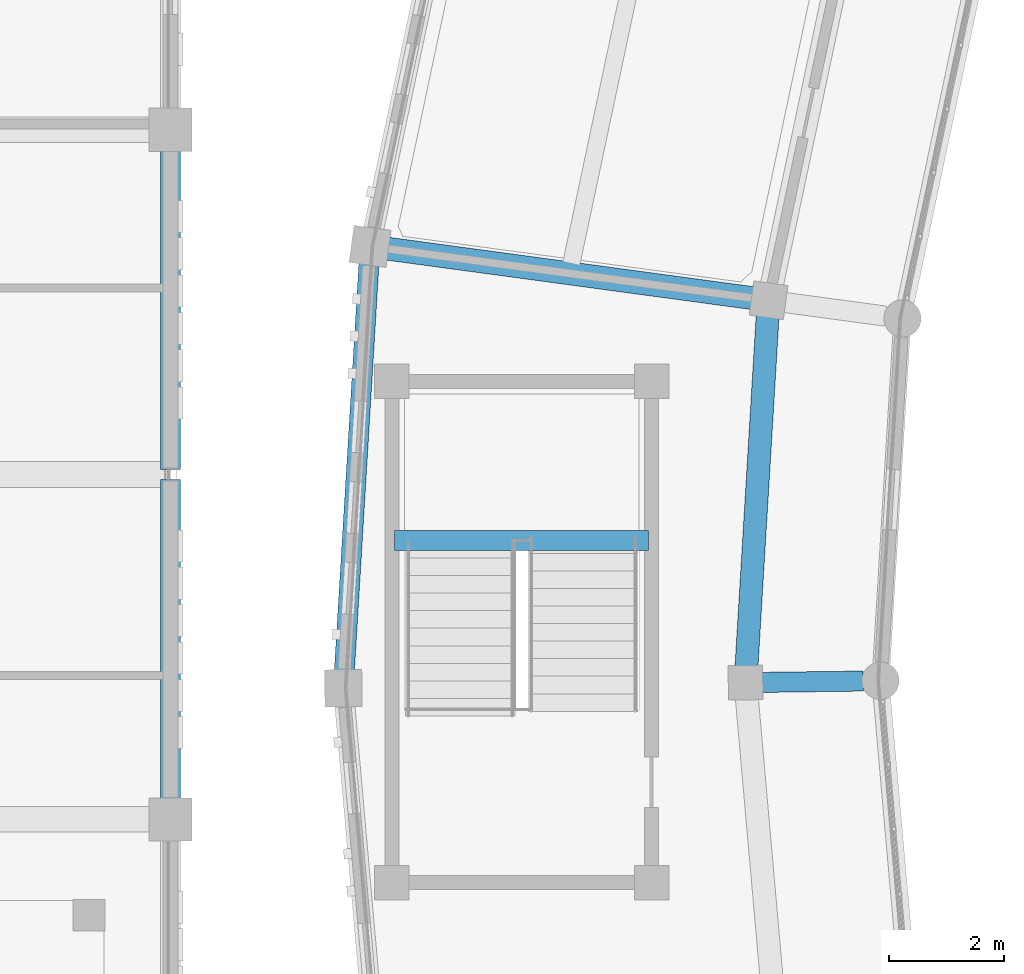
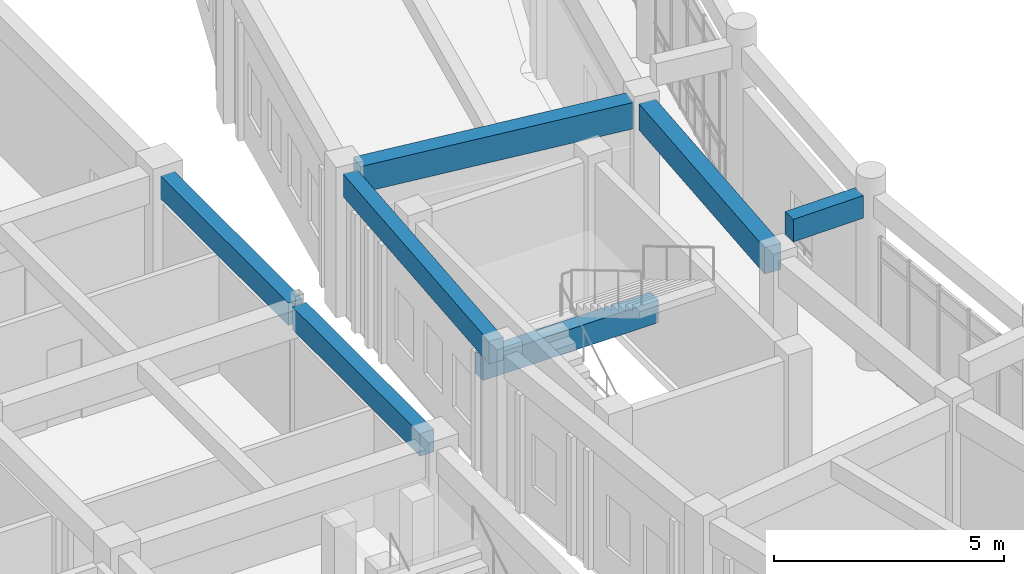
# One storey, part 28 of 159: 7 beams.
"""IFC4 building model written with IfcOpenShell, lengths in metres."""

import ifcopenshell
import ifcopenshell.guid

model = None  # the IFC model being written
_history = None  # IfcOwnerHistory: only IFC2X3 demands one
_inside = {}  # id of a spatial element -> (the spatial element, [elements in it])
_under = {}  # id of a project, library or spatial element -> (it, [spatial elements below it])
_declared = {}  # id of a project -> (the project, [libraries it declares])
_typed = {}  # id of a type object -> (the type object, [elements of that type])
_made_of = {}  # id of a material, layer set ... -> (it, [elements and type objects made of it])


def new_model(schema):
    """Start an empty IFC model of exactly this schema.

    Asked for "IFC4X3", IfcOpenShell would pick the latest addendum, in which some entities
    have other attributes; the version numbers below select the first issue.
    IFC2X3 requires an IfcOwnerHistory on every rooted entity: one is made here for all.
    """
    global model, _history
    if schema == "IFC4X3":
        model = ifcopenshell.file(schema_version=(4, 3, 0, 0))
    else:
        model = ifcopenshell.file(schema=schema)
    _inside.clear()
    _under.clear()
    _declared.clear()
    _typed.clear()
    _made_of.clear()
    _history = None
    if model.schema == "IFC2X3":
        org = make("IfcOrganization", Name="unknown")
        user = make(
            "IfcPersonAndOrganization",
            ThePerson=make("IfcPerson", FamilyName="unknown"),
            TheOrganization=org,
        )
        app = make(
            "IfcApplication",
            ApplicationDeveloper=org,
            Version="unknown",
            ApplicationFullName="unknown",
            ApplicationIdentifier="unknown",
        )
        _history = make(
            "IfcOwnerHistory",
            OwningUser=user,
            OwningApplication=app,
            ChangeAction="ADDED",
            CreationDate=0,
        )
    return model


def make(cls, **values):
    """One entity of the class cls with the attributes given. An attribute that is None is left unset."""
    return model.create_entity(
        cls, **{name: value for name, value in values.items() if value is not None}
    )


def rooted(cls, **values):
    """An entity with a GlobalId (a new one), such as an element, a storey or a relation."""
    return make(cls, GlobalId=ifcopenshell.guid.new(), OwnerHistory=_history, **values)


def si_unit(unit_type, name, prefix=None):
    """IfcSIUnit, for example si_unit("LENGTHUNIT", "METRE", prefix="MILLI")."""
    return make("IfcSIUnit", UnitType=unit_type, Prefix=prefix, Name=name)


def assignment(units):
    """IfcUnitAssignment: the units of a project."""
    return None if units is None else make("IfcUnitAssignment", Units=units)


def point(xyz):
    """IfcCartesianPoint."""
    return None if xyz is None else make("IfcCartesianPoint", Coordinates=xyz)


def direction(xyz):
    """IfcDirection."""
    return None if xyz is None else make("IfcDirection", DirectionRatios=xyz)


def frame(location, z_axis=None, x_axis=None):
    """IfcAxis2Placement3D, a coordinate frame: its origin and axes. An axis left out is left unset."""
    return make(
        "IfcAxis2Placement3D",
        Location=point(location),
        Axis=direction(z_axis),
        RefDirection=direction(x_axis),
    )


def frame_2d(location, x_axis=None):
    """IfcAxis2Placement2D, a coordinate frame in the plane: its origin and x axis."""
    return make(
        "IfcAxis2Placement2D", Location=point(location), RefDirection=direction(x_axis)
    )


def origin():
    """The frame at (0, 0, 0) with its axes left unset."""
    return frame((0.0, 0.0, 0.0))


def origin_2d():
    """The frame at (0, 0) in the plane with its x axis left unset."""
    return frame_2d((0.0, 0.0))


def place(relative_to, where):
    """IfcLocalPlacement: puts the frame where relative to a parent placement (None: the world)."""
    return make(
        "IfcLocalPlacement", PlacementRelTo=relative_to, RelativePlacement=where
    )


def context(
    kind, dimensions, precision=None, world=None, true_north=None, identifier=None
):
    """IfcGeometricRepresentationContext, for example the 3D "Model" context."""
    return make(
        "IfcGeometricRepresentationContext",
        ContextIdentifier=identifier,
        ContextType=kind,
        CoordinateSpaceDimension=dimensions,
        Precision=precision,
        WorldCoordinateSystem=world,
        TrueNorth=true_north,
    )


def subcontext(parent, identifier, kind, view, scale=None):
    """IfcGeometricRepresentationSubContext, for example "Body" below "Model"."""
    return make(
        "IfcGeometricRepresentationSubContext",
        ContextIdentifier=identifier,
        ContextType=kind,
        ParentContext=parent,
        TargetScale=scale,
        TargetView=view,
    )


def project(units=None, contexts=None):
    """IfcProject with its units and contexts."""
    return rooted(
        "IfcProject",
        Name="project",
        RepresentationContexts=contexts,
        UnitsInContext=assignment(units),
    )


def spatial(cls, under=None, at=None, **own):
    """A site, building, storey or space (cls), placed at a placement, below another one or the project."""
    s = rooted(cls, ObjectPlacement=at, **own)
    if under is not None:
        _under.setdefault(under.id(), (under, []))[1].append(s)
    return s


def profile(cls, at=None, kind="AREA", **sizes):
    """A parametric profile (cls). Its sizes go by their IFC names, for example OverallWidth=200.0."""
    return make(cls, ProfileType=kind, Position=at, **sizes)


def rectangle(**sizes):
    """IfcRectangleProfileDef."""
    return profile("IfcRectangleProfileDef", **sizes)


def extrude(swept, where, along, depth):
    """IfcExtrudedAreaSolid: the profile swept, set in the frame where, extruded along a direction by depth."""
    return make(
        "IfcExtrudedAreaSolid",
        SweptArea=swept,
        Position=where,
        ExtrudedDirection=direction(along),
        Depth=depth,
    )


def shape(context_of_items, identifier, shape_type, items):
    """IfcShapeRepresentation: the items that make up one representation, for example the "Body"."""
    return make(
        "IfcShapeRepresentation",
        ContextOfItems=context_of_items,
        RepresentationIdentifier=identifier,
        RepresentationType=shape_type,
        Items=items,
    )


def material(Name=None, Category=None):
    """IfcMaterial."""
    return make("IfcMaterial", Name=Name, Category=Category)


def material_profile(
    of_material, cross_section, Name=None, Category=None, Priority=None
):
    """IfcMaterialProfile: a cross section and its material."""
    return make(
        "IfcMaterialProfile",
        Name=Name,
        Material=of_material,
        Profile=cross_section,
        Priority=Priority,
        Category=Category,
    )


def profile_set(profiles, Name=None, composite=None):
    """IfcMaterialProfileSet."""
    return make(
        "IfcMaterialProfileSet",
        Name=Name,
        MaterialProfiles=profiles,
        CompositeProfile=composite,
    )


def made_of(thing, what):
    """Note that an element or type object is made of a material, layer set ...; save() writes the relation."""
    if what is not None:
        _made_of.setdefault(what.id(), (what, []))[1].append(thing)
    return thing


def type_object(cls, material=None, **own):
    """A type object (cls), such as IfcWallType, which elements share."""
    return made_of(rooted(cls, **own), material)


def element(
    cls,
    number,
    at=None,
    inside=None,
    cuts=None,
    type_object=None,
    material=None,
    context=None,
    identifier="Body",
    shape_type=None,
    held_by="IfcProductDefinitionShape",
    body=None,
    shapes=None,
    **own,
):
    """One element of the class cls, such as IfcWall. Its Tag is "e" and its number.

    at: its placement. inside: the storey or other place that contains it. cuts: it is an
    opening in that element (IfcRelVoidsElement). A single representation is given by context,
    identifier, shape_type and body (its items); several are given by shapes. held_by: the class
    of the entity that holds the representations. save() writes the other relations.
    """
    e = rooted(cls, Tag="e%d" % number, ObjectPlacement=at, **own)
    if body is not None:
        shapes = [shape(context, identifier, shape_type, body)]
    if shapes is not None:
        e.Representation = make(held_by, Representations=shapes)
    if inside is not None:
        _inside.setdefault(inside.id(), (inside, []))[1].append(e)
    if cuts is not None:
        rooted(
            "IfcRelVoidsElement", RelatingBuildingElement=cuts, RelatedOpeningElement=e
        )
    if type_object is not None:
        _typed.setdefault(type_object.id(), (type_object, []))[1].append(e)
    return made_of(e, material)


def aggregate(whole, parts):
    """IfcRelAggregates: a whole, such as a stair, and the parts it consists of."""
    return rooted("IfcRelAggregates", RelatingObject=whole, RelatedObjects=parts)


def save(model, path):
    """Write the relations noted so far, then the file.

    IfcRelAggregates (storeys below a building ...), IfcRelContainedInSpatialStructure (elements
    in a storey), IfcRelDefinesByType, IfcRelAssociatesMaterial and IfcRelDeclares: one each for
    every whole, place, type object, material and project.
    """
    for whole, parts in _under.values():
        aggregate(whole, parts)
    for where, things in _inside.values():
        rooted(
            "IfcRelContainedInSpatialStructure",
            RelatedElements=things,
            RelatingStructure=where,
        )
    for kind, things in _typed.values():
        rooted("IfcRelDefinesByType", RelatedObjects=things, RelatingType=kind)
    for what, things in _made_of.values():
        rooted("IfcRelAssociatesMaterial", RelatedObjects=things, RelatingMaterial=what)
    for by, libraries in _declared.values():
        rooted("IfcRelDeclares", RelatingContext=by, RelatedDefinitions=libraries)
    model.write(path)


model = new_model("IFC4")

# Units and contexts
model_context = context("Model", 3, precision=1e-05, world=origin(), true_north=direction((0.0, 1.0)))
body_context = subcontext(model_context, "Body", "Model", "MODEL_VIEW")
ifc_project = project(units=[si_unit("LENGTHUNIT", "METRE"), si_unit("AREAUNIT", "SQUARE_METRE"), si_unit("VOLUMEUNIT", "CUBIC_METRE"), si_unit("PLANEANGLEUNIT", "RADIAN"), si_unit("MASSUNIT", "GRAM", prefix="KILO")], contexts=[model_context])

# Site, building, storey
site_placement = place(None, origin())
site = spatial("IfcSite", under=ifc_project, at=site_placement, CompositionType="ELEMENT")
building_placement = place(site_placement, origin())
building = spatial("IfcBuilding", under=site, at=building_placement, Name="Celadon Cloister-Ring School", CompositionType="ELEMENT")
storey_placement = place(building_placement, frame((0.0, 0.0, 4.5)))
storey = spatial("IfcBuildingStorey", under=building, at=storey_placement, Name="L01", CompositionType="ELEMENT", Elevation=4.5)

# Beams
ifc_material_1 = material(Name="Concrete C35/45", Category="concrete")
ifc_material_profile_1 = material_profile(ifc_material_1, rectangle(XDim=0.35009765625, YDim=0.60009765625, at=origin_2d()), Name="RC350X600")
ifc_profile_set_1 = profile_set([ifc_material_profile_1], Name="Concrete C35/45")
beam_type_1 = type_object("IfcBeamType", Name="BT-02", PredefinedType="BEAM", material=ifc_profile_set_1)
beam_1_placement = place(storey_placement, frame((42.279052734375, 58.382080078125, 4.35009765625), z_axis=(0.999909156439, 0.013478830444, 0.0), x_axis=(-0.013478830444, 0.999909156439, 0.0)))
element("IfcBeam", 1, at=beam_1_placement, inside=storey, type_object=beam_type_1, Name="Beam 0213", PredefinedType="BEAM", context=body_context, shape_type="SweptSolid", body=[
    extrude(rectangle(XDim=0.35009765625, YDim=0.60009765625, at=origin_2d()), origin(), (0.0, 0.0, 1.0), 1.775146484375),
])
for number, where, z_axis, x_axis, name in (
    (2, (32.0, 56.35009765625, 3.43994140625), (0.0, 1.0, 0.0), (-1.0, 0.0, 0.0), "Beam 1546"),
    (3, (32.0, 62.0849609375, 3.43994140625), (0.0, 1.0, 0.0), (-1.0, 0.0, 0.0), "Beam 1547"),
):
    element("IfcBeam", number, at=place(storey_placement, frame(where, z_axis=z_axis, x_axis=x_axis)), inside=storey, type_object=beam_type_1, Name=name, PredefinedType="BEAM", context=body_context, shape_type="SweptSolid", body=[
        extrude(rectangle(XDim=0.35009765625, YDim=0.60009765625, at=origin_2d()), origin(), (0.0, 0.0, 1.0), 5.56494140625),
    ])
beam_2_placement = place(storey_placement, frame((35.89990234375, 60.85009765625, 1.39990234375), z_axis=(1.0, 0.0, 0.0), x_axis=(0.0, 1.0, 0.0)))
element("IfcBeam", 4, at=beam_2_placement, inside=storey, type_object=beam_type_1, Name="Stair Landing Beam 1755", PredefinedType="BEAM", context=body_context, shape_type="SweptSolid", body=[
    extrude(rectangle(XDim=0.35009765625, YDim=0.60009765625, at=origin_2d()), origin(), (0.0, 0.0, 1.0), 4.420166015625),
])
ifc_material_2 = material(Name="Concrete C35/45", Category="concrete")
ifc_material_profile_2 = material_profile(ifc_material_2, rectangle(XDim=0.39990234375, YDim=0.699951171875, at=origin_2d()), Name="RC400X700")
ifc_profile_set_2 = profile_set([ifc_material_profile_2], Name="Concrete C35/45")
beam_type_2 = type_object("IfcBeamType", Name="GT-03", PredefinedType="USERDEFINED", material=ifc_profile_set_2)
beam_3_placement = place(storey_placement, frame((35.76611328125, 65.930908203125, 3.429931640625), z_axis=(0.990963103676, -0.134134735073, 0.0), x_axis=(0.134134735073, 0.990963103676, 0.0)))
element("IfcBeam", 5, at=beam_3_placement, inside=storey, type_object=beam_type_2, Name="Beam 0211", ObjectType="GIRDER", PredefinedType="USERDEFINED", context=body_context, shape_type="SweptSolid", body=[
    extrude(rectangle(XDim=0.39990234375, YDim=0.699951171875, at=origin_2d()), origin(), (0.0, 0.0, 1.0), 6.425048828125),
])
beam_4_placement = place(storey_placement, frame((42.388916015625, 64.758056640625, 3.429931640625), z_axis=(-0.060146806865, -0.998189541933, 0.0), x_axis=(0.998189541933, -0.060146806865, 0.0)))
element("IfcBeam", 6, at=beam_4_placement, inside=storey, type_object=beam_type_2, Name="Beam 0292", ObjectType="GIRDER", PredefinedType="USERDEFINED", context=body_context, shape_type="SweptSolid", body=[
    extrude(rectangle(XDim=0.39990234375, YDim=0.699951171875, at=origin_2d()), origin(), (0.0, 0.0, 1.0), 6.116943359375),
])
ifc_material_3 = material(Name="Concrete C35/45", Category="concrete")
ifc_material_profile_3 = material_profile(ifc_material_3, rectangle(XDim=0.35009765625, YDim=0.60009765625, at=origin_2d()), Name="RC350X600")
ifc_profile_set_3 = profile_set([ifc_material_profile_3], Name="Concrete C35/45")
beam_type_3 = type_object("IfcBeamType", Name="SP-01", PredefinedType="SPANDREL", material=ifc_profile_set_3)
beam_5_placement = place(storey_placement, frame((35.450927734375, 65.672119140625, 3.47998046875), z_axis=(-0.060236729714, -0.998184119486, 0.0), x_axis=(0.998184119486, -0.060236729714, 0.0)))
element("IfcBeam", 7, at=beam_5_placement, inside=storey, type_object=beam_type_3, Name="Beam 0291", PredefinedType="SPANDREL", context=body_context, shape_type="SweptSolid", body=[
    extrude(rectangle(XDim=0.35009765625, YDim=0.60009765625, at=origin_2d()), origin(), (0.0, 0.0, 1.0), 7.10498046875),
])

save(model, "model.ifc")
